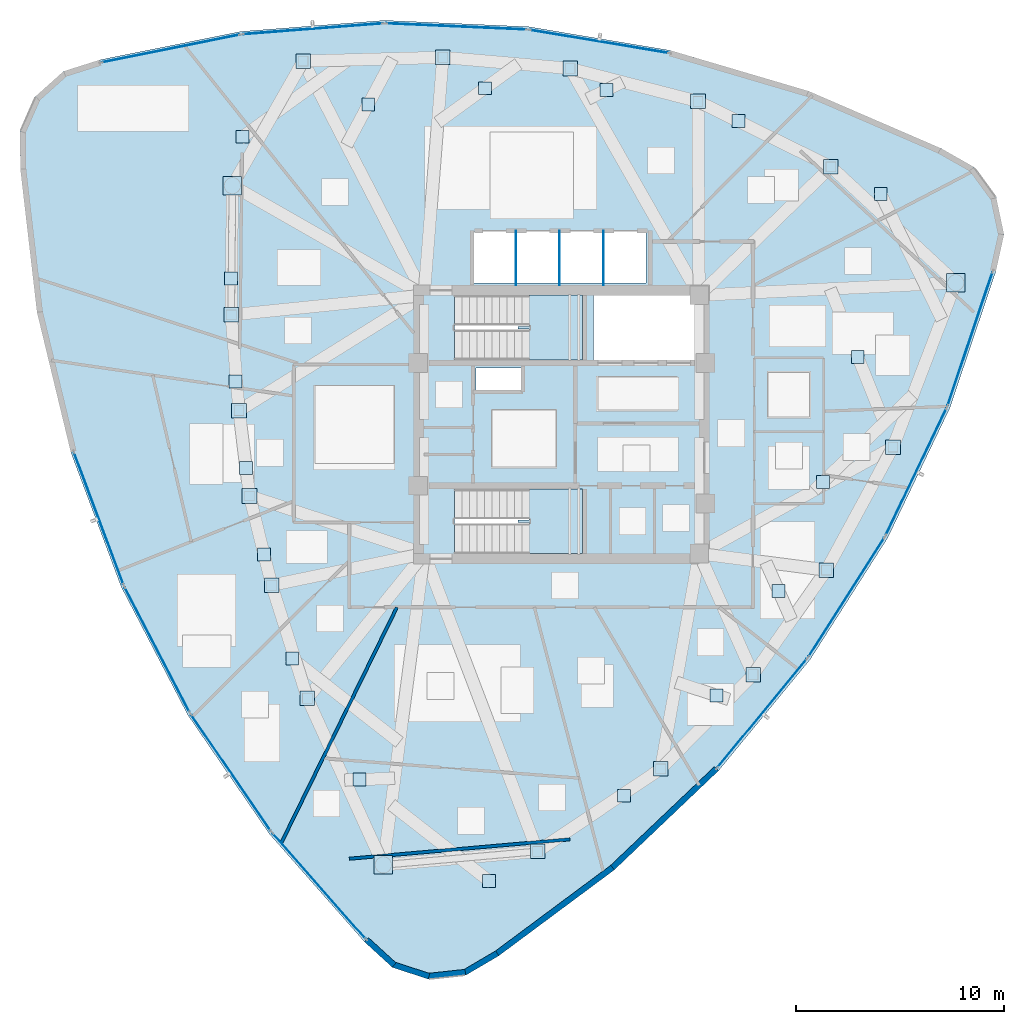
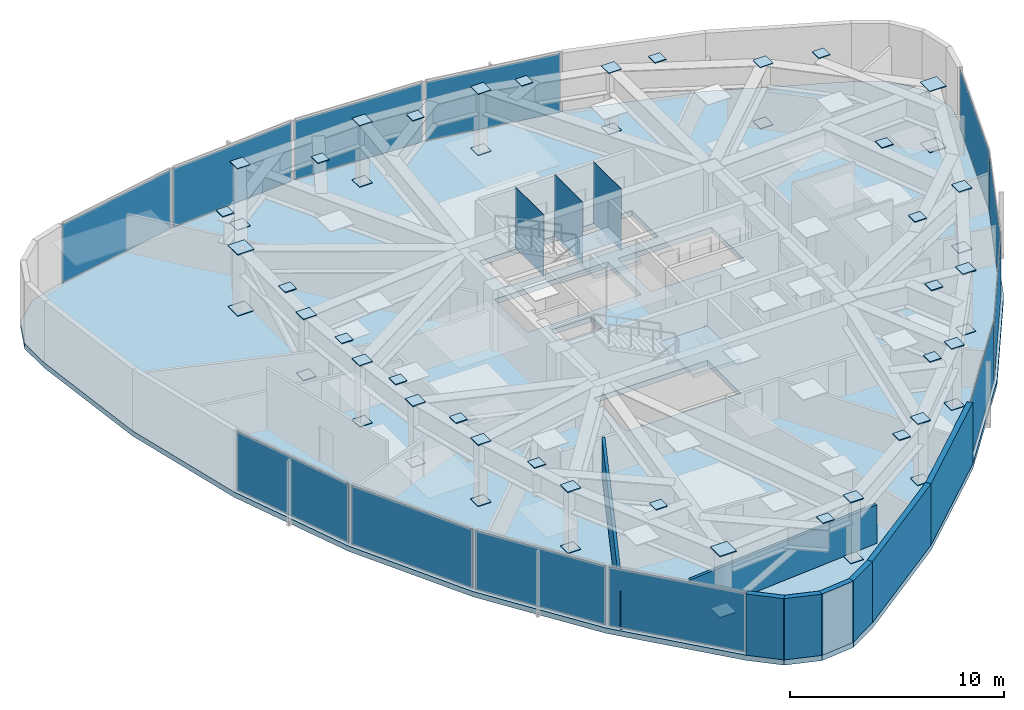
# One storey, part 7 of 13: 69 plates, 8 walls, 3 slabs, 14 elements without a shape of their own.
"""IFC4 building model written with IfcOpenShell, lengths in metres."""

from ifc_helpers import new_model, si_unit, direction, frame, frame_2d, origin, origin_2d, place, context, subcontext, project, spatial, polyline, rectangle, outline, extrude, source, transform, mapped, material, layer, layer_set, type_object, type_shapes, element, aggregate, save


model = new_model("IFC4")

# Units and contexts
model_context = context("Model", 3, precision=1e-05, world=origin(), true_north=direction((0.0, 1.0)))
body_context = subcontext(model_context, "Body", "Model", "MODEL_VIEW")
ifc_project = project(units=[si_unit("LENGTHUNIT", "METRE"), si_unit("AREAUNIT", "SQUARE_METRE"), si_unit("VOLUMEUNIT", "CUBIC_METRE"), si_unit("PLANEANGLEUNIT", "RADIAN"), si_unit("MASSUNIT", "GRAM", prefix="KILO")], contexts=[model_context])

# Site, building, storey
site_placement = place(None, origin())
site = spatial("IfcSite", under=ifc_project, at=site_placement, CompositionType="ELEMENT")
building_placement = place(site_placement, origin())
building = spatial("IfcBuilding", under=site, at=building_placement, Name="Tavelor Broadcast Tower", CompositionType="ELEMENT")
storey_placement = place(building_placement, frame((0.0, 0.0, 269.550048828125)))
storey = spatial("IfcBuildingStorey", under=building, at=storey_placement, Name="L64", CompositionType="ELEMENT", Elevation=269.550048828125)

# Stair, slab
ifc_material_1 = material(Name="Concrete C40/50", Category="concrete")
stair_type = type_object("IfcStairType", Name="Reinforced Concrete Protected Dogleg Stair 1450 mm", PredefinedType="HALF_TURN_STAIR", material=ifc_material_1)
stair_1_placement = place(storey_placement, origin())
stair_1 = element("IfcStair", 1, at=stair_1_placement, inside=storey, type_object=stair_type, Name="L64 Protected Core Exit Stair ST1", PredefinedType="HALF_TURN_STAIR")
ifc_layer_1 = layer(ifc_material_1, 0.199951171875)
ifc_layer_set_1 = layer_set([ifc_layer_1], Name="Concrete C40/50")
slab_type_1 = type_object("IfcSlabType", Name="Reinforced Concrete Stair Half-Landing Slab 200 mm", PredefinedType="LANDING", material=ifc_layer_set_1)
slab_1_placement = place(storey_placement, frame((0.0, 0.0, 1.77490234375)))
slab_1 = element("IfcSlab", 2, at=slab_1_placement, type_object=slab_type_1, Name="ST1 landing 1", PredefinedType="LANDING", context=body_context, shape_type="SweptSolid", body=[
    extrude(outline(polyline([(48.445068359375, 49.590087890625), (48.445068359375, 48.094970703125), (51.0048828125, 48.094970703125), (51.0048828125, 51.205078125), (48.445068359375, 51.205078125), (48.445068359375, 49.7099609375), (47.905029296875, 49.7099609375), (47.905029296875, 49.590087890625), (48.445068359375, 49.590087890625)])), origin(), (0.0, 0.0, 1.0), 0.199951171875),
])
aggregate(stair_1, [slab_1])

stair_2_placement = place(storey_placement, origin())
stair_2 = element("IfcStair", 3, at=stair_2_placement, inside=storey, type_object=stair_type, Name="L64 Protected Core Exit Stair ST2", PredefinedType="HALF_TURN_STAIR")
slab_2_placement = place(storey_placement, frame((0.0, 0.0, 1.77490234375)))
slab_2 = element("IfcSlab", 4, at=slab_2_placement, type_object=slab_type_1, Name="ST2 landing 1", PredefinedType="LANDING", context=body_context, shape_type="SweptSolid", body=[
    extrude(outline(polyline([(48.445068359375, 40.2900390625), (48.445068359375, 38.794921875), (51.0048828125, 38.794921875), (51.0048828125, 41.905029296875), (48.445068359375, 41.905029296875), (48.445068359375, 40.409912109375), (47.905029296875, 40.409912109375), (47.905029296875, 40.2900390625), (48.445068359375, 40.2900390625)])), origin(), (0.0, 0.0, 1.0), 0.199951171875),
])
aggregate(stair_2, [slab_2])

# Slab
ifc_layer_2 = layer(ifc_material_1, 0.300048828125)
ifc_layer_set_2 = layer_set([ifc_layer_2], Name="Concrete C40/50")
slab_type_2 = type_object("IfcSlabType", Name="Tower Composite Floor Slab 300 mm", PredefinedType="FLOOR", material=ifc_layer_set_2)
slab_3_placement = place(storey_placement, frame((0.0, 0.0, -0.300048828125)))
element("IfcSlab", 5, at=slab_3_placement, inside=storey, type_object=slab_type_2, Name="L64 Structural Floor Slab", PredefinedType="FLOOR", context=body_context, shape_type="SweptSolid", body=[
    extrude(outline(polyline([(27.8232421875, 62.49853515625), (26.091064453125, 61.95068359375), (24.73779296875, 60.738525390625), (24.003173828125, 59.076904296875), (24.017333984375, 57.260009765625), (24.81494140625, 50.390869140625), (26.43798828125, 43.66845703125), (28.86279296875, 37.19189453125), (32.05322265625, 31.056396484375), (35.962890625, 25.35205078125), (40.5341796875, 20.162841796875), (41.874755859375, 18.9365234375), (43.60107421875, 18.37060546875), (45.407470703125, 18.565185546875), (46.973876953125, 19.486083984375), (52.52392578125, 23.611572265625), (57.5341796875, 28.37841796875), (61.9306640625, 33.71630859375), (65.648681640625, 39.547119140625), (68.634033203125, 45.78515625), (70.842529296875, 52.338623046875), (71.234375, 54.11279296875), (70.861083984375, 55.890869140625), (69.789306640625, 57.35791015625), (68.208984375, 58.25390625), (61.861083984375, 60.997802734375), (55.227783203125, 62.953369140625), (48.406494140625, 64.091796875), (41.497802734375, 64.396484375), (34.602783203125, 63.86279296875), (27.8232421875, 62.49853515625)]), holes=[polyline([(50.99609375, 41.89599609375), (50.99609375, 38.803955078125), (44.85400390625, 38.803955078125), (44.85400390625, 41.89599609375), (50.99609375, 41.89599609375)]), polyline([(48.050048828125, 47.699951171875), (48.050048828125, 46.64990234375), (45.89990234375, 46.64990234375), (45.89990234375, 47.699951171875), (48.050048828125, 47.699951171875)]), polyline([(50.99609375, 51.196044921875), (50.99609375, 48.10400390625), (44.85400390625, 48.10400390625), (44.85400390625, 51.196044921875), (50.99609375, 51.196044921875)]), polyline([(56.60009765625, 48.10009765625), (51.52001953125, 48.10009765625), (51.52001953125, 51.199951171875), (56.60009765625, 51.199951171875), (56.60009765625, 48.10009765625)]), polyline([(54.050048828125, 51.800048828125), (45.800048828125, 51.800048828125), (45.800048828125, 54.25), (54.050048828125, 54.25), (54.050048828125, 51.800048828125)])]), origin(), (0.0, 0.0, 1.0), 0.300048828125),
])

# Plates
ifc_material_2 = material(Name="Steel S460", Category="steel")
ifc_layer_3 = layer(ifc_material_2, 0.050048828125)
ifc_layer_set_3 = layer_set([ifc_layer_3], Name="Steel S460")
plate_type_1 = type_object("IfcPlateType", Name="Tube Hollow-End Cap Plate KN05 700x700x50", PredefinedType="USERDEFINED", material=ifc_layer_set_3)
shared_shape_1 = source(origin(), body_context, "Body", "SweptSolid", [
    extrude(rectangle(XDim=0.699951171875, YDim=0.699951171875, at=origin_2d()), origin(), (0.0, 0.0, 1.0), 0.054931640625),
])
for number, where, z_axis, x_axis, name in (
    (6, (34.13720703125, 50.255859375, -0.02734375), (0.0, 0.0, 1.0), (1.0, 0.0, 0.0), "L64 Hollow End Cap Plate KN05 #1887"),
    (7, (34.13720703125, 50.255859375, 3.47265625), (0.0, 0.0, 1.0), (1.0, 0.0, 0.0), "L64 Hollow End Cap Plate KN05 #1888"),
    (8, (34.513671875, 45.66455078125, -0.02734375), (0.0, 0.0, 1.0), (1.0, 0.0, 0.0), "L64 Hollow End Cap Plate KN05 #1889"),
    (9, (34.513671875, 45.66455078125, 3.47265625), (0.0, 0.0, 1.0), (1.0, 0.0, 0.0), "L64 Hollow End Cap Plate KN05 #1890"),
    (10, (35.018798828125, 41.56396484375, -0.02734375), (0.0, 0.0, 1.0), (1.0, 0.0, 0.0), "L64 Hollow End Cap Plate KN05 #1891"),
    (11, (35.018798828125, 41.56396484375, 3.47265625), (0.0, 0.0, 1.0), (1.0, 0.0, 0.0), "L64 Hollow End Cap Plate KN05 #1892"),
    (12, (36.08349609375, 37.2822265625, -0.02734375), (0.0, 0.0, 1.0), (1.0, 0.0, 0.0), "L64 Hollow End Cap Plate KN05 #1893"),
    (13, (36.08349609375, 37.2822265625, 3.47265625), (0.0, 0.0, 1.0), (1.0, 0.0, 0.0), "L64 Hollow End Cap Plate KN05 #1894"),
    (14, (37.797119140625, 31.853271484375, -0.02734375), (0.0, 0.0, 1.0), (1.0, 0.0, 0.0), "L64 Hollow End Cap Plate KN05 #1895"),
    (15, (37.797119140625, 31.853271484375, 3.47265625), (0.0, 0.0, 1.0), (1.0, 0.0, 0.0), "L64 Hollow End Cap Plate KN05 #1896"),
    (16, (48.843994140625, 24.5048828125, -0.02734375), (0.0, 0.0, 1.0), (1.0, 0.0, 0.0), "L64 Hollow End Cap Plate KN05 #1899"),
    (17, (48.843994140625, 24.5048828125, 3.47265625), (0.0, 0.0, 1.0), (1.0, 0.0, 0.0), "L64 Hollow End Cap Plate KN05 #1900"),
    (18, (54.754150390625, 28.461669921875, -0.02734375), (0.0, 0.0, 1.0), (1.0, 0.0, 0.0), "L64 Hollow End Cap Plate KN05 #1901"),
    (19, (54.754150390625, 28.461669921875, 3.47265625), (0.0, 0.0, 1.0), (1.0, 0.0, 0.0), "L64 Hollow End Cap Plate KN05 #1902"),
    (20, (59.1923828125, 32.987060546875, -0.02734375), (0.0, 0.0, 1.0), (1.0, 0.0, 0.0), "L64 Hollow End Cap Plate KN05 #1903"),
    (21, (59.1923828125, 32.987060546875, 3.47265625), (0.0, 0.0, 1.0), (1.0, 0.0, 0.0), "L64 Hollow End Cap Plate KN05 #1904"),
    (22, (62.7109375, 38.009033203125, -0.02734375), (0.0, 0.0, 1.0), (1.0, 0.0, 0.0), "L64 Hollow End Cap Plate KN05 #1905"),
    (23, (62.7109375, 38.009033203125, 3.47265625), (0.0, 0.0, 1.0), (1.0, 0.0, 0.0), "L64 Hollow End Cap Plate KN05 #1906"),
    (24, (65.9072265625, 43.909423828125, -0.02734375), (0.0, 0.0, 1.0), (1.0, 0.0, 0.0), "L64 Hollow End Cap Plate KN05 #1907"),
    (25, (65.9072265625, 43.909423828125, 3.47265625), (0.0, 0.0, 1.0), (1.0, 0.0, 0.0), "L64 Hollow End Cap Plate KN05 #1908"),
    (26, (62.92724609375, 57.364013671875, -0.02734375), (0.0, 0.0, 1.0), (1.0, 0.0, 0.0), "L64 Hollow End Cap Plate KN05 #1911"),
    (27, (62.92724609375, 57.364013671875, 3.47265625), (0.0, 0.0, 1.0), (1.0, 0.0, 0.0), "L64 Hollow End Cap Plate KN05 #1912"),
    (28, (56.545654296875, 60.504150390625, -0.02734375), (0.0, 0.0, 1.0), (1.0, 0.0, 0.0), "L64 Hollow End Cap Plate KN05 #1913"),
    (29, (56.545654296875, 60.504150390625, 3.47265625), (0.0, 0.0, 1.0), (1.0, 0.0, 0.0), "L64 Hollow End Cap Plate KN05 #1914"),
    (30, (50.4072265625, 62.0849609375, -0.02734375), (0.0, 0.0, 1.0), (1.0, 0.0, 0.0), "L64 Hollow End Cap Plate KN05 #1915"),
    (31, (50.4072265625, 62.0849609375, 3.47265625), (0.0, 0.0, 1.0), (1.0, 0.0, 0.0), "L64 Hollow End Cap Plate KN05 #1916"),
    (32, (44.298828125, 62.621337890625, -0.02734375), (0.0, 0.0, 1.0), (1.0, 0.0, 0.0), "L64 Hollow End Cap Plate KN05 #1917"),
    (33, (44.298828125, 62.621337890625, 3.47265625), (0.0, 0.0, 1.0), (1.0, 0.0, 0.0), "L64 Hollow End Cap Plate KN05 #1918"),
    (34, (37.5908203125, 62.439208984375, -0.02734375), (0.0, 0.0, 1.0), (1.0, 0.0, 0.0), "L64 Hollow End Cap Plate KN05 #1919"),
    (35, (37.5908203125, 62.439208984375, 3.47265625), (0.0, 0.0, 1.0), (1.0, 0.0, 0.0), "L64 Hollow End Cap Plate KN05 #1920"),
):
    element("IfcPlate", number, at=place(storey_placement, frame(where, z_axis=z_axis, x_axis=x_axis)), inside=storey, type_object=plate_type_1, Name=name, ObjectType="CAP PLATE", PredefinedType="USERDEFINED", context=body_context, shape_type="MappedRepresentation", body=[
        mapped(shared_shape_1, transform((0.0, 0.0, 0.0), scale=1.0)),
    ])
shared_shape_2 = source(origin(), body_context, "Body", "SweptSolid", [
    extrude(rectangle(XDim=0.89306640625, YDim=0.89306640625, at=origin_2d()), origin(), (0.0, 0.0, 1.0), 0.054931640625),
])
type_shapes(plate_type_1, [shared_shape_1, shared_shape_2])
for number, where, z_axis, x_axis, name in (
    (36, (34.1962890625, 56.4599609375, -0.02734375), (0.0, 0.0, 1.0), (1.0, 0.0, 0.0), "L64 Hollow End Cap Plate KN05 #1885"),
    (37, (34.1962890625, 56.4599609375, 3.47265625), (0.0, 0.0, 1.0), (1.0, 0.0, 0.0), "L64 Hollow End Cap Plate KN05 #1886"),
    (38, (41.440185546875, 23.853759765625, -0.02734375), (0.0, 0.0, 1.0), (1.0, 0.0, 0.0), "L64 Hollow End Cap Plate KN05 #1897"),
    (39, (41.440185546875, 23.853759765625, 3.47265625), (0.0, 0.0, 1.0), (1.0, 0.0, 0.0), "L64 Hollow End Cap Plate KN05 #1898"),
    (40, (68.919677734375, 51.799072265625, -0.02734375), (0.0, 0.0, 1.0), (1.0, 0.0, 0.0), "L64 Hollow End Cap Plate KN05 #1909"),
    (41, (68.919677734375, 51.799072265625, 3.47265625), (0.0, 0.0, 1.0), (1.0, 0.0, 0.0), "L64 Hollow End Cap Plate KN05 #1910"),
):
    element("IfcPlate", number, at=place(storey_placement, frame(where, z_axis=z_axis, x_axis=x_axis)), inside=storey, type_object=plate_type_1, Name=name, ObjectType="CAP PLATE", PredefinedType="USERDEFINED", context=body_context, shape_type="MappedRepresentation", body=[
        mapped(shared_shape_2, transform((0.0, 0.0, 0.0), scale=1.0)),
    ])
ifc_layer_4 = layer(ifc_material_2, 0.034912109375)
ifc_layer_set_4 = layer_set([ifc_layer_4], Name="Steel S460")
plate_type_2 = type_object("IfcPlateType", Name="Setback Node Cap Plate KN07 420x280x35", PredefinedType="USERDEFINED", material=ifc_layer_set_4)
shared_shape_3 = source(origin(), body_context, "Body", "SweptSolid", [
    extrude(rectangle(XDim=0.6201171875, YDim=0.6201171875, at=origin_2d()), origin(), (0.0, 0.0, 1.0), 0.050048828125),
])
type_shapes(plate_type_2, [shared_shape_3])
for number, where, z_axis, x_axis, name in (
    (42, (34.134765625, 51.995849609375, 3.9248046875), (0.0, 0.0, 1.0), (1.0, 0.0, 0.0), "L64 Setback Transfer Node Assembly KN07 #01"),
    (43, (34.341552734375, 47.061279296875, 3.9248046875), (0.0, 0.0, 1.0), (1.0, 0.0, 0.0), "L64 Setback Transfer Node Assembly KN07 #02"),
    (44, (34.85400390625, 42.90185546875, 3.9248046875), (0.0, 0.0, 1.0), (1.0, 0.0, 0.0), "L64 Setback Transfer Node Assembly KN07 #03"),
    (45, (35.716552734375, 38.757080078125, 3.9248046875), (0.0, 0.0, 1.0), (1.0, 0.0, 0.0), "L64 Setback Transfer Node Assembly KN07 #04"),
    (46, (37.068115234375, 33.759521484375, 3.9248046875), (0.0, 0.0, 1.0), (1.0, 0.0, 0.0), "L64 Setback Transfer Node Assembly KN07 #05"),
    (47, (40.29638671875, 27.95361328125, 3.9248046875), (0.0, 0.0, 1.0), (1.0, 0.0, 0.0), "L64 Setback Transfer Node Assembly KN07 #06"),
    (48, (46.5146484375, 23.08740234375, 3.9248046875), (0.0, 0.0, 1.0), (1.0, 0.0, 0.0), "L64 Setback Transfer Node Assembly KN07 #07"),
    (49, (52.992919921875, 27.1767578125, 3.9248046875), (0.0, 0.0, 1.0), (1.0, 0.0, 0.0), "L64 Setback Transfer Node Assembly KN07 #08"),
    (50, (57.431396484375, 31.9921875, 3.9248046875), (0.0, 0.0, 1.0), (1.0, 0.0, 0.0), "L64 Setback Transfer Node Assembly KN07 #09"),
    (51, (60.41748046875, 37.00439453125, 3.9248046875), (0.0, 0.0, 1.0), (1.0, 0.0, 0.0), "L64 Setback Transfer Node Assembly KN07 #10"),
    (52, (62.543701171875, 42.240478515625, 3.9248046875), (0.0, 0.0, 1.0), (1.0, 0.0, 0.0), "L64 Setback Transfer Node Assembly KN07 #11"),
    (53, (64.21435546875, 48.2373046875, 3.9248046875), (0.0, 0.0, 1.0), (1.0, 0.0, 0.0), "L64 Setback Transfer Node Assembly KN07 #12"),
    (54, (65.319580078125, 56.0556640625, 3.9248046875), (0.0, 0.0, 1.0), (1.0, 0.0, 0.0), "L64 Setback Transfer Node Assembly KN07 #13"),
    (55, (58.485595703125, 59.55712890625, 3.9248046875), (0.0, 0.0, 1.0), (1.0, 0.0, 0.0), "L64 Setback Transfer Node Assembly KN07 #14"),
    (56, (52.147216796875, 61.05078125, 3.9248046875), (0.0, 0.0, 1.0), (1.0, 0.0, 0.0), "L64 Setback Transfer Node Assembly KN07 #15"),
    (57, (46.3154296875, 61.13720703125, 3.9248046875), (0.0, 0.0, 1.0), (1.0, 0.0, 0.0), "L64 Setback Transfer Node Assembly KN07 #16"),
    (58, (40.718017578125, 60.36083984375, 3.9248046875), (0.0, 0.0, 1.0), (1.0, 0.0, 0.0), "L64 Setback Transfer Node Assembly KN07 #17"),
    (59, (34.689208984375, 58.80908203125, 3.9248046875), (0.0, 0.0, 1.0), (1.0, 0.0, 0.0), "L64 Setback Transfer Node Assembly KN07 #18"),
):
    element("IfcPlate", number, at=place(storey_placement, frame(where, z_axis=z_axis, x_axis=x_axis)), inside=storey, type_object=plate_type_2, Name=name, ObjectType="CAP PLATE", PredefinedType="USERDEFINED", context=body_context, shape_type="MappedRepresentation", body=[
        mapped(shared_shape_3, transform((0.0, 0.0, 0.0), scale=1.0)),
    ])
ifc_material_3 = material(Name="Steel S355", Category="steel")
ifc_layer_5 = layer(ifc_material_3, 0.011962890625)
ifc_layer_set_5 = layer_set([ifc_layer_5], Name="Steel S355")
plate_type_3 = type_object("IfcPlateType", Name="Hoistway Steel Separator Screen 12 mm", PredefinedType="SHEET", material=ifc_layer_set_5)
shared_shape_4 = source(origin(), body_context, "Body", "SweptSolid", [
    extrude(rectangle(XDim=0.02001953125, YDim=2.6201171875, at=origin_2d()), origin(), (0.0, 0.0, 1.0), 3.5),
])
type_shapes(plate_type_3, [shared_shape_4])
for number, where, z_axis, x_axis, name in (
    (60, (47.800048828125, 52.989990234375, 0.0), (0.0, 0.0, 1.0), (1.0, 0.0, 0.0), "L64 High-Rise Hoistway Separator Screen 1"),
    (61, (49.89990234375, 52.989990234375, 0.0), (0.0, 0.0, 1.0), (1.0, 0.0, 0.0), "L64 High-Rise Hoistway Separator Screen 2"),
    (62, (52.0, 52.989990234375, 0.0), (0.0, 0.0, 1.0), (1.0, 0.0, 0.0), "L64 High-Rise Hoistway Separator Screen 3"),
):
    element("IfcPlate", number, at=place(storey_placement, frame(where, z_axis=z_axis, x_axis=x_axis)), inside=storey, type_object=plate_type_3, Name=name, PredefinedType="SHEET", context=body_context, shape_type="MappedRepresentation", body=[
        mapped(shared_shape_4, transform((0.0, 0.0, 0.0), scale=1.0)),
    ])

# Curtain wall, plate
ifc_material_4 = material(Name="Architectural Anodized Aluminium", Category="aluminium")
ifc_layer_6 = layer(ifc_material_4, 0.199951171875)
ifc_layer_set_6 = layer_set([ifc_layer_6], Name="Architectural Anodized Aluminium")
curtain_wall_type = type_object("IfcCurtainWallType", Name="Tower High-Zone Triple-Glazed Curtain Wall CW04", PredefinedType="NOTDEFINED", material=ifc_layer_set_6)
curtain_wall_1_placement = place(storey_placement, origin())
curtain_wall_1 = element("IfcCurtainWall", 63, at=curtain_wall_1_placement, inside=storey, type_object=curtain_wall_type, Name="L64 Curtain Wall CW04 Run 697", PredefinedType="NOTDEFINED")
ifc_material_5 = material(Name="High-Altitude Triple Glazing 36 mm", Category="glass")
ifc_layer_7 = layer(ifc_material_5, 0.035888671875)
ifc_layer_set_7 = layer_set([ifc_layer_7], Name="High-Altitude Triple Glazing 36 mm")
plate_type_4 = type_object("IfcPlateType", Name="CW04 Insulated Vision Glazing Panel 36 mm", PredefinedType="CURTAIN_PANEL", material=ifc_layer_set_7)
shared_shape_5 = source(origin(), body_context, "Body", "SweptSolid", [
    extrude(rectangle(XDim=6.743408203125, YDim=0.035888671875, at=origin_2d()), origin(), (0.0, 0.0, 1.0), 3.360107421875),
])
plate_1_placement = place(storey_placement, frame((27.779052734375, 40.486328125, 0.06982421875), z_axis=(0.0, 0.0, 1.0), x_axis=(0.350621892997, -0.936517105103, 0.0)))
plate_1 = element("IfcPlate", 64, at=plate_1_placement, type_object=plate_type_4, Name="CW04 panel 1.1", PredefinedType="CURTAIN_PANEL", context=body_context, shape_type="MappedRepresentation", body=[
    mapped(shared_shape_5, transform((0.0, 0.0, 0.0), scale=1.0)),
])
aggregate(curtain_wall_1, [plate_1])

curtain_wall_2_placement = place(storey_placement, origin())
curtain_wall_2 = element("IfcCurtainWall", 65, at=curtain_wall_2_placement, inside=storey, type_object=curtain_wall_type, Name="L64 Curtain Wall CW04 Run 698", PredefinedType="NOTDEFINED")
shared_shape_6 = source(origin(), body_context, "Body", "SweptSolid", [
    extrude(rectangle(XDim=6.728515625, YDim=0.035888671875, at=origin_2d()), origin(), (0.0, 0.0, 1.0), 3.360107421875),
])
plate_2_placement = place(storey_placement, frame((30.582275390625, 34.188720703125, 0.06982421875), z_axis=(0.0, 0.0, 1.0), x_axis=(0.461355487133, -0.887215370974, 0.0)))
plate_2 = element("IfcPlate", 66, at=plate_2_placement, type_object=plate_type_4, Name="CW04 panel 1.1", PredefinedType="CURTAIN_PANEL", context=body_context, shape_type="MappedRepresentation", body=[
    mapped(shared_shape_6, transform((0.0, 0.0, 0.0), scale=1.0)),
])
aggregate(curtain_wall_2, [plate_2])

curtain_wall_3_placement = place(storey_placement, origin())
curtain_wall_3 = element("IfcCurtainWall", 67, at=curtain_wall_3_placement, inside=storey, type_object=curtain_wall_type, Name="L64 Curtain Wall CW04 Run 699", PredefinedType="NOTDEFINED")
plate_3_placement = place(storey_placement, frame((34.12353515625, 28.283447265625, 0.06982421875), z_axis=(0.0, 0.0, 1.0), x_axis=(0.565341886834, -0.824856685122, 0.0)))
plate_3 = element("IfcPlate", 68, at=plate_3_placement, type_object=plate_type_4, Name="CW04 panel 1.1", PredefinedType="CURTAIN_PANEL", context=body_context, shape_type="MappedRepresentation", body=[
    mapped(shared_shape_6, transform((0.0, 0.0, 0.0), scale=1.0)),
])
aggregate(curtain_wall_3, [plate_3])

curtain_wall_4_placement = place(storey_placement, origin())
curtain_wall_4 = element("IfcCurtainWall", 69, at=curtain_wall_4_placement, inside=storey, type_object=curtain_wall_type, Name="L64 Curtain Wall CW04 Run 702", PredefinedType="NOTDEFINED")
plate_4_placement = place(storey_placement, frame((63.671630859375, 36.70703125, 0.06982421875), z_axis=(0.0, 0.0, 1.0), x_axis=(0.537661891435, 0.843160536611, 0.0)))
plate_4 = element("IfcPlate", 70, at=plate_4_placement, type_object=plate_type_4, Name="CW04 panel 1.1", PredefinedType="CURTAIN_PANEL", context=body_context, shape_type="MappedRepresentation", body=[
    mapped(shared_shape_6, transform((0.0, 0.0, 0.0), scale=1.0)),
])
aggregate(curtain_wall_4, [plate_4])

curtain_wall_5_placement = place(storey_placement, origin())
curtain_wall_5 = element("IfcCurtainWall", 71, at=curtain_wall_5_placement, inside=storey, type_object=curtain_wall_type, Name="L64 Curtain Wall CW04 Run 703", PredefinedType="NOTDEFINED")
plate_5_placement = place(storey_placement, frame((67.01513671875, 42.7265625, 0.06982421875), z_axis=(0.0, 0.0, 1.0), x_axis=(0.431679067944, 0.902027262503, 0.0)))
plate_5 = element("IfcPlate", 72, at=plate_5_placement, type_object=plate_type_4, Name="CW04 panel 1.1", PredefinedType="CURTAIN_PANEL", context=body_context, shape_type="MappedRepresentation", body=[
    mapped(shared_shape_6, transform((0.0, 0.0, 0.0), scale=1.0)),
])
aggregate(curtain_wall_5, [plate_5])

curtain_wall_6_placement = place(storey_placement, origin())
curtain_wall_6 = element("IfcCurtainWall", 73, at=curtain_wall_6_placement, inside=storey, type_object=curtain_wall_type, Name="L64 Curtain Wall CW04 Run 706", PredefinedType="NOTDEFINED")
plate_6_placement = place(storey_placement, frame((44.946044921875, 64.104248046875, 0.06982421875), z_axis=(0.0, 0.0, 1.0), x_axis=(-0.999029073796, 0.044055756826, 0.0)))
plate_6 = element("IfcPlate", 74, at=plate_6_placement, type_object=plate_type_4, Name="CW04 panel 1.1", PredefinedType="CURTAIN_PANEL", context=body_context, shape_type="MappedRepresentation", body=[
    mapped(shared_shape_6, transform((0.0, 0.0, 0.0), scale=1.0)),
])
aggregate(curtain_wall_6, [plate_6])

curtain_wall_7_placement = place(storey_placement, origin())
curtain_wall_7 = element("IfcCurtainWall", 75, at=curtain_wall_7_placement, inside=storey, type_object=curtain_wall_type, Name="L64 Curtain Wall CW04 Run 707", PredefinedType="NOTDEFINED")
plate_7_placement = place(storey_placement, frame((38.06103515625, 63.989990234375, 0.06982421875), z_axis=(0.0, 0.0, 1.0), x_axis=(-0.997017372417, -0.077177452007, 0.0)))
plate_7 = element("IfcPlate", 76, at=plate_7_placement, type_object=plate_type_4, Name="CW04 panel 1.1", PredefinedType="CURTAIN_PANEL", context=body_context, shape_type="MappedRepresentation", body=[
    mapped(shared_shape_6, transform((0.0, 0.0, 0.0), scale=1.0)),
])
aggregate(curtain_wall_7, [plate_7])

curtain_wall_8_placement = place(storey_placement, origin())
curtain_wall_8 = element("IfcCurtainWall", 77, at=curtain_wall_8_placement, inside=storey, type_object=curtain_wall_type, Name="L64 Curtain Wall CW04 Run 700", PredefinedType="NOTDEFINED")
shared_shape_7 = source(origin(), body_context, "Body", "SweptSolid", [
    extrude(rectangle(XDim=6.744384765625, YDim=0.035888671875, at=origin_2d()), origin(), (0.0, 0.0, 1.0), 3.360107421875),
])
plate_8_placement = place(storey_placement, frame((38.35888671875, 22.843994140625, 0.06982421875), z_axis=(0.0, 0.0, 1.0), x_axis=(0.660997828754, -0.750387813322, 0.0)))
plate_8 = element("IfcPlate", 78, at=plate_8_placement, type_object=plate_type_4, Name="CW04 panel 1.1", PredefinedType="CURTAIN_PANEL", context=body_context, shape_type="MappedRepresentation", body=[
    mapped(shared_shape_7, transform((0.0, 0.0, 0.0), scale=1.0)),
])
aggregate(curtain_wall_8, [plate_8])

curtain_wall_9_placement = place(storey_placement, origin())
curtain_wall_9 = element("IfcCurtainWall", 79, at=curtain_wall_9_placement, inside=storey, type_object=curtain_wall_type, Name="L64 Curtain Wall CW04 Run 704", PredefinedType="NOTDEFINED")
plate_9_placement = place(storey_placement, frame((69.608154296875, 49.1142578125, 0.06982421875), z_axis=(0.0, 0.0, 1.0), x_axis=(0.319354811193, 0.947635217037, 0.0)))
plate_9 = element("IfcPlate", 80, at=plate_9_placement, type_object=plate_type_4, Name="CW04 panel 1.1", PredefinedType="CURTAIN_PANEL", context=body_context, shape_type="MappedRepresentation", body=[
    mapped(shared_shape_7, transform((0.0, 0.0, 0.0), scale=1.0)),
])
aggregate(curtain_wall_9, [plate_9])

curtain_wall_10_placement = place(storey_placement, origin())
curtain_wall_10 = element("IfcCurtainWall", 81, at=curtain_wall_10_placement, inside=storey, type_object=curtain_wall_type, Name="L64 Curtain Wall CW04 Run 708", PredefinedType="NOTDEFINED")
plate_10_placement = place(storey_placement, frame((31.23291015625, 63.041748046875, 0.06982421875), z_axis=(0.0, 0.0, 1.0), x_axis=(-0.98035207546, -0.197255692292, 0.0)))
plate_10 = element("IfcPlate", 82, at=plate_10_placement, type_object=plate_type_4, Name="CW04 panel 1.1", PredefinedType="CURTAIN_PANEL", context=body_context, shape_type="MappedRepresentation", body=[
    mapped(shared_shape_7, transform((0.0, 0.0, 0.0), scale=1.0)),
])
aggregate(curtain_wall_10, [plate_10])

curtain_wall_11_placement = place(storey_placement, origin())
curtain_wall_11 = element("IfcCurtainWall", 83, at=curtain_wall_11_placement, inside=storey, type_object=curtain_wall_type, Name="L64 Curtain Wall CW04 Run 701", PredefinedType="NOTDEFINED")
shared_shape_8 = source(origin(), body_context, "Body", "SweptSolid", [
    extrude(rectangle(XDim=6.74365234375, YDim=0.035888671875, at=origin_2d()), origin(), (0.0, 0.0, 1.0), 3.360107421875),
])
type_shapes(plate_type_4, [shared_shape_5, shared_shape_6, shared_shape_7, shared_shape_8])
plate_11_placement = place(storey_placement, frame((59.619384765625, 31.130615234375, 0.06982421875), z_axis=(0.0, 0.0, 1.0), x_axis=(0.635746970158, 0.77189752554, 0.0)))
plate_11 = element("IfcPlate", 84, at=plate_11_placement, type_object=plate_type_4, Name="CW04 panel 1.1", PredefinedType="CURTAIN_PANEL", context=body_context, shape_type="MappedRepresentation", body=[
    mapped(shared_shape_8, transform((0.0, 0.0, 0.0), scale=1.0)),
])
aggregate(curtain_wall_11, [plate_11])

curtain_wall_12_placement = place(storey_placement, origin())
curtain_wall_12 = element("IfcCurtainWall", 85, at=curtain_wall_12_placement, inside=storey, type_object=curtain_wall_type, Name="L64 Curtain Wall CW04 Run 705", PredefinedType="NOTDEFINED")
plate_12_placement = place(storey_placement, frame((51.801513671875, 63.383056640625, 0.06982421875), z_axis=(0.0, 0.0, 1.0), x_axis=(-0.986358957543, 0.164608647627, 0.0)))
plate_12 = element("IfcPlate", 86, at=plate_12_placement, type_object=plate_type_4, Name="CW04 panel 1.1", PredefinedType="CURTAIN_PANEL", context=body_context, shape_type="MappedRepresentation", body=[
    mapped(shared_shape_8, transform((0.0, 0.0, 0.0), scale=1.0)),
])
aggregate(curtain_wall_12, [plate_12])

# Walls
ifc_material_6 = material(Name="Precast Concrete C40/50", Category="concrete")
ifc_layer_8 = layer(ifc_material_6, 0.280029296875)
ifc_layer_set_8 = layer_set([ifc_layer_8], Name="Precast Concrete C40/50")
wall_type_1 = type_object("IfcWallType", Name="Insulated Precast Terracotta Facade Wall 280 mm", PredefinedType="STANDARD", material=ifc_layer_set_8)
wall_1_placement = place(storey_placement, frame((40.631103515625, 20.263671875, 0.0), z_axis=(0.0, 0.0, 1.0), x_axis=(0.737903232737, -0.674906526207, 0.0)))
element("IfcWall", 87, at=wall_1_placement, inside=storey, type_object=wall_type_1, Name="L64 Rounded Corner Structural Cladding Pier 11", PredefinedType="STANDARD", context=body_context, shape_type="SweptSolid", body=[
    extrude(rectangle(XDim=1.798095703125, YDim=0.280029296875, at=frame_2d((0.89892578125, 0.0))), origin(), (0.0, 0.0, 1.0), 3.5),
])
wall_2_placement = place(storey_placement, frame((41.9326171875, 19.064697265625, 0.0), z_axis=(0.0, 0.0, 1.0), x_axis=(0.950269987715, -0.311427279552, 0.0)))
element("IfcWall", 88, at=wall_2_placement, inside=storey, type_object=wall_type_1, Name="L64 Rounded Corner Structural Cladding Pier 12", PredefinedType="STANDARD", context=body_context, shape_type="SweptSolid", body=[
    extrude(rectangle(XDim=1.78662109375, YDim=0.280029296875, at=frame_2d((0.893310546875, 0.0))), origin(), (0.0, 0.0, 1.0), 3.5),
])
wall_3_placement = place(storey_placement, frame((43.601318359375, 18.511474609375, 0.0), z_axis=(0.0, 0.0, 1.0), x_axis=(0.994243303457, 0.107145945005, 0.0)))
element("IfcWall", 89, at=wall_3_placement, inside=storey, type_object=wall_type_1, Name="L64 Rounded Corner Structural Cladding Pier 13", PredefinedType="STANDARD", context=body_context, shape_type="SweptSolid", body=[
    extrude(rectangle(XDim=1.786376953125, YDim=0.280029296875, at=frame_2d((0.89306640625, 0.0))), origin(), (0.0, 0.0, 1.0), 3.5),
])
wall_4_placement = place(storey_placement, frame((45.349609375, 18.693603515625, 0.0), z_axis=(0.0, 0.0, 1.0), x_axis=(0.86203133229, 0.506854991246, 0.0)))
element("IfcWall", 90, at=wall_4_placement, inside=storey, type_object=wall_type_1, Name="L64 Rounded Corner Structural Cladding Pier 14", PredefinedType="STANDARD", context=body_context, shape_type="SweptSolid", body=[
    extrude(rectangle(XDim=1.80908203125, YDim=0.280029296875, at=frame_2d((0.904541015625, 0.0))), origin(), (0.0, 0.0, 1.0), 3.5),
])
wall_5_placement = place(storey_placement, frame((46.88427734375, 19.593994140625, 0.0), z_axis=(0.0, 0.0, 1.0), x_axis=(0.802567445084, 0.596561393396, 0.0)))
element("IfcWall", 91, at=wall_5_placement, inside=storey, type_object=wall_type_1, Name="L64 Rounded Corner Structural Cladding Pier 15", PredefinedType="STANDARD", context=body_context, shape_type="SweptSolid", body=[
    extrude(rectangle(XDim=6.929443359375, YDim=0.280029296875, at=frame_2d((3.46484375, 0.0))), origin(), (0.0, 0.0, 1.0), 3.5),
])
wall_6_placement = place(storey_placement, frame((52.422607421875, 23.70849609375, 0.0), z_axis=(0.0, 0.0, 1.0), x_axis=(0.724498737337, 0.68927612725, 0.0)))
element("IfcWall", 92, at=wall_6_placement, inside=storey, type_object=wall_type_1, Name="L64 Rounded Corner Structural Cladding Pier 16", PredefinedType="STANDARD", context=body_context, shape_type="SweptSolid", body=[
    extrude(rectangle(XDim=6.91748046875, YDim=0.280029296875, at=frame_2d((3.458740234375, 0.0))), origin(), (0.0, 0.0, 1.0), 3.5),
])
ifc_material_7 = material(Name="Gypsum Acoustic Plasterboard 150 mm", Category="gypsum")
ifc_layer_9 = layer(ifc_material_7, 0.14990234375)
ifc_layer_set_9 = layer_set([ifc_layer_9], Name="Gypsum Acoustic Plasterboard 150 mm")
wall_type_2 = type_object("IfcWallType", Name="Interior Acoustic Partition Wall 150 mm", PredefinedType="PARTITIONING", material=ifc_layer_set_9)
wall_7_placement = place(storey_placement, frame((39.807861328125, 24.15185546875, 0.0), z_axis=(0.0, 0.0, 1.0), x_axis=(0.996153584085, 0.087624408208, 0.0)))
element("IfcWall", 93, at=wall_7_placement, inside=storey, type_object=wall_type_2, Name="L64 Corner Tube Brace Furring Wall 2", PredefinedType="PARTITIONING", context=body_context, shape_type="SweptSolid", body=[
    extrude(rectangle(XDim=10.63232421875, YDim=0.14990234375, at=frame_2d((5.316162109375, 0.0))), origin(), (0.0, 0.0, 1.0), 2.195068359375),
])
wall_8_placement = place(storey_placement, frame((42.09228515625, 36.219970703125, 0.0), z_axis=(0.0, 0.0, 1.0), x_axis=(-0.440464441774, -0.89777005716, 0.0)))
element("IfcWall", 94, at=wall_8_placement, inside=storey, type_object=wall_type_2, Name="L64 Radial Compartment Wall 06", PredefinedType="PARTITIONING", context=body_context, shape_type="SweptSolid", body=[
    extrude(rectangle(XDim=12.612060546875, YDim=0.14990234375, at=frame_2d((6.30615234375, 0.0))), origin(), (0.0, 0.0, 1.0), 2.195068359375),
])

save(model, "model.ifc")
